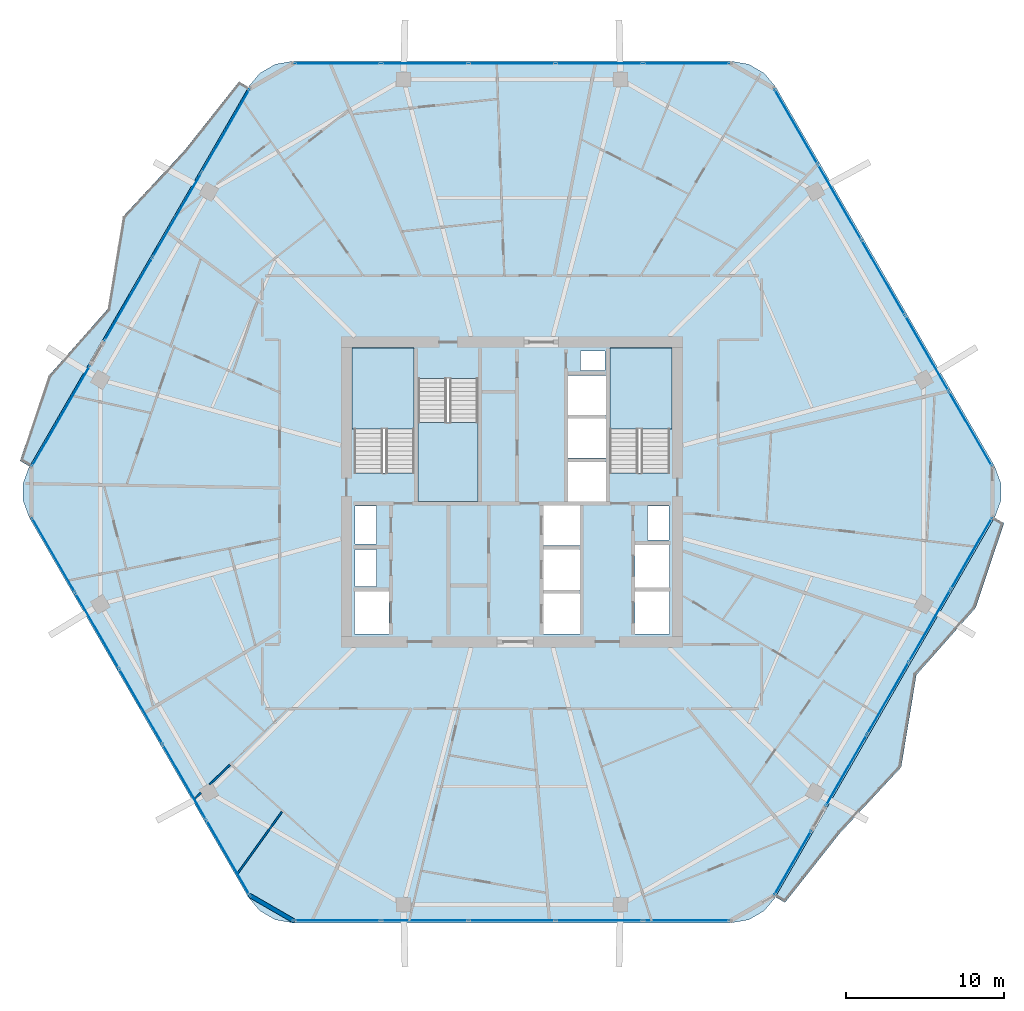
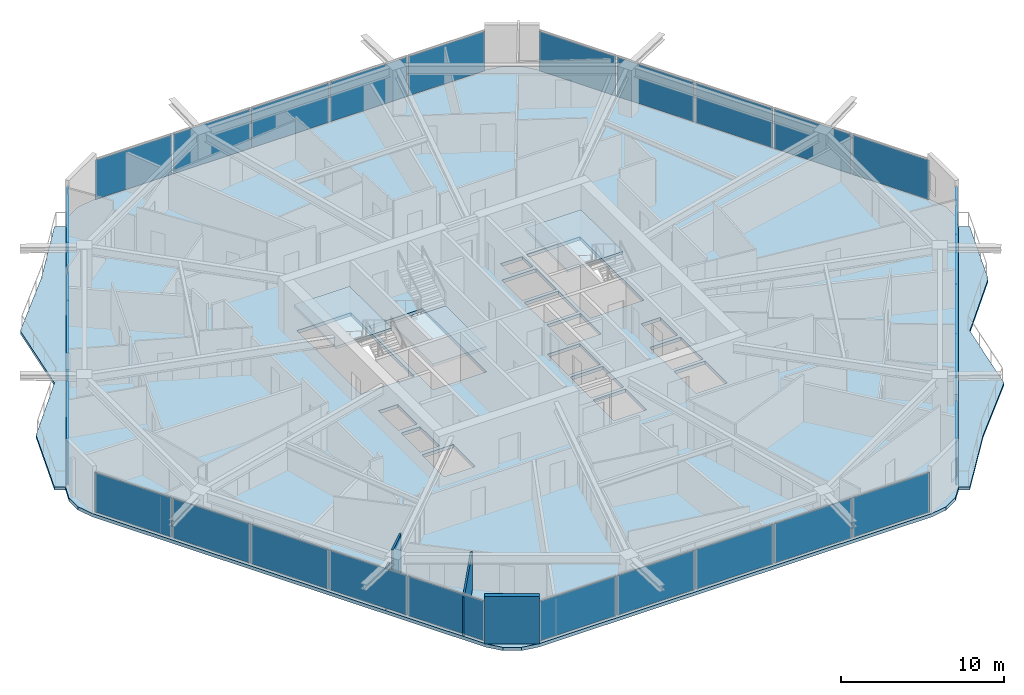
# One storey, part 16 of 26: 29 plates, 6 slabs, 4 walls, 11 elements without a shape of their own.
"""IFC4 building model written with IfcOpenShell, lengths in metres."""

from ifc_helpers import new_model, si_unit, direction, frame, frame_2d, origin, origin_2d, place, context, subcontext, project, spatial, polyline, rectangle, outline, extrude, material, layer, layer_set, type_object, element, aggregate, save


model = new_model("IFC4")

# Units and contexts
model_context = context("Model", 3, precision=1e-05, world=origin(), true_north=direction((0.0, 1.0)))
body_context = subcontext(model_context, "Body", "Model", "MODEL_VIEW")
ifc_project = project(units=[si_unit("LENGTHUNIT", "METRE"), si_unit("AREAUNIT", "SQUARE_METRE"), si_unit("VOLUMEUNIT", "CUBIC_METRE"), si_unit("PLANEANGLEUNIT", "RADIAN"), si_unit("MASSUNIT", "GRAM", prefix="KILO")], contexts=[model_context])

# Site, building, storey
site_placement = place(None, origin())
site = spatial("IfcSite", under=ifc_project, at=site_placement, CompositionType="ELEMENT")
building_placement = place(site_placement, origin())
building = spatial("IfcBuilding", under=site, at=building_placement, Name="Zuhravey Tower", CompositionType="ELEMENT")
storey_placement = place(building_placement, frame((0.0, 0.0, 211.199951171875)))
storey = spatial("IfcBuildingStorey", under=building, at=storey_placement, Name="L53", CompositionType="ELEMENT", Elevation=211.199951171875)

# Slabs
ifc_material_1 = material(Name="Concrete C50/60", Category="concrete")
ifc_layer_1 = layer(ifc_material_1, 0.25)
ifc_layer_set_1 = layer_set([ifc_layer_1], Name="Concrete C50/60")
slab_type_1 = type_object("IfcSlabType", Name="Residential Acoustic Slab 250", PredefinedType="FLOOR", material=ifc_layer_set_1)
slab_1_placement = place(storey_placement, frame((0.0, 0.0, -0.25)))
element("IfcSlab", 1, at=slab_1_placement, inside=storey, type_object=slab_type_1, Name="L53 Floor Slab FS25", PredefinedType="FLOOR", context=body_context, shape_type="SweptSolid", body=[
    extrude(outline(polyline([(66.61181640625, 30.375), (66.997802734375, 31.435546875), (66.997802734375, 32.564453125), (66.61181640625, 33.625), (52.713134765625, 57.697998046875), (51.98779296875, 58.562744140625), (51.01025390625, 59.127197265625), (49.898681640625, 59.322998046875), (22.101318359375, 59.322998046875), (20.98974609375, 59.127197265625), (20.01220703125, 58.562744140625), (19.286865234375, 57.697998046875), (5.38818359375, 33.625), (5.002197265625, 32.564453125), (5.002197265625, 31.435546875), (5.38818359375, 30.375), (19.286865234375, 6.302001953125), (20.01220703125, 5.437255859375), (20.98974609375, 4.872802734375), (22.101318359375, 4.677001953125), (49.898681640625, 4.677001953125), (51.01025390625, 4.872802734375), (51.98779296875, 5.437255859375), (52.713134765625, 6.302001953125), (66.61181640625, 30.375)]), holes=[polyline([(29.800048828125, 33.20068359375), (29.800048828125, 41.0), (26.0, 41.0), (26.0, 33.20068359375), (29.800048828125, 33.20068359375)]), polyline([(46.0, 33.20068359375), (46.0, 41.0), (42.199951171875, 41.0), (42.199951171875, 33.20068359375), (46.0, 33.20068359375)]), polyline([(30.050048828125, 39.199462890625), (30.050048828125, 31.39990234375), (33.85009765625, 31.39990234375), (33.85009765625, 39.199462890625), (30.050048828125, 39.199462890625)]), polyline([(38.0, 23.0), (40.300048828125, 23.0), (40.300048828125, 25.550048828125), (38.0, 25.550048828125), (38.0, 23.0)]), polyline([(38.0, 25.800048828125), (40.300048828125, 25.800048828125), (40.300048828125, 28.35009765625), (38.0, 28.35009765625), (38.0, 25.800048828125)]), polyline([(38.0, 28.60009765625), (40.300048828125, 28.60009765625), (40.300048828125, 31.14990234375), (38.0, 31.14990234375), (38.0, 28.60009765625)]), polyline([(39.550048828125, 31.39990234375), (41.949951171875, 31.39990234375), (41.949951171875, 33.89990234375), (39.550048828125, 33.89990234375), (39.550048828125, 31.39990234375)]), polyline([(39.550048828125, 34.14990234375), (41.949951171875, 34.14990234375), (41.949951171875, 36.64990234375), (39.550048828125, 36.64990234375), (39.550048828125, 34.14990234375)]), polyline([(39.550048828125, 36.89990234375), (41.949951171875, 36.89990234375), (41.949951171875, 39.39990234375), (39.550048828125, 39.39990234375), (39.550048828125, 36.89990234375)]), polyline([(26.0, 23.0), (28.199951171875, 23.0), (28.199951171875, 25.699951171875), (26.0, 25.699951171875), (26.0, 23.0)]), polyline([(43.800048828125, 23.0), (46.0, 23.0), (46.0, 25.699951171875), (43.800048828125, 25.699951171875), (43.800048828125, 23.0)]), polyline([(43.800048828125, 25.949951171875), (46.0, 25.949951171875), (46.0, 28.64990234375), (43.800048828125, 28.64990234375), (43.800048828125, 25.949951171875)]), polyline([(26.050048828125, 26.0), (27.39990234375, 26.0), (27.39990234375, 28.35009765625), (26.050048828125, 28.35009765625), (26.050048828125, 26.0)]), polyline([(26.050048828125, 28.699951171875), (27.39990234375, 28.699951171875), (27.39990234375, 31.10009765625), (26.050048828125, 31.10009765625), (26.050048828125, 28.699951171875)]), polyline([(44.60009765625, 28.949951171875), (45.949951171875, 28.949951171875), (45.949951171875, 31.10009765625), (44.60009765625, 31.10009765625), (44.60009765625, 28.949951171875)]), polyline([(40.35009765625, 39.699951171875), (41.89990234375, 39.699951171875), (41.89990234375, 40.949951171875), (40.35009765625, 40.949951171875), (40.35009765625, 39.699951171875)])]), origin(), (0.0, 0.0, 1.0), 0.25),
])
ifc_material_2 = material(Name="Concrete C40/50", Category="concrete")
ifc_layer_2 = layer(ifc_material_2, 0.219970703125)
ifc_layer_set_2 = layer_set([ifc_layer_2], Name="Concrete C40/50")
slab_type_2 = type_object("IfcSlabType", Name="Sinusoidal Residential Wave Balcony 220", PredefinedType="FLOOR", material=ifc_layer_set_2)
slab_2_placement = place(storey_placement, frame((0.0, 0.0, -0.219970703125)))
element("IfcSlab", 2, at=slab_2_placement, inside=storey, type_object=slab_type_2, Name="L53 Face 6 Wave Balcony WB22", PredefinedType="FLOOR", context=body_context, shape_type="SweptSolid", body=[
    extrude(outline(polyline([(52.70458984375, 6.31689453125), (66.594482421875, 30.375), (67.20068359375, 30.02490234375), (65.395751953125, 24.651611328125), (61.642822265625, 20.40283203125), (60.676025390625, 14.54541015625), (56.794921875, 10.370849609375), (53.310791015625, 5.966796875), (52.70458984375, 6.31689453125)])), origin(), (0.0, 0.0, 1.0), 0.219970703125),
])
slab_3_placement = place(storey_placement, frame((0.0, 0.0, -0.219970703125)))
element("IfcSlab", 3, at=slab_3_placement, inside=storey, type_object=slab_type_2, Name="L53 Face 3 Wave Balcony WB22", PredefinedType="FLOOR", context=body_context, shape_type="SweptSolid", body=[
    extrude(outline(polyline([(19.29541015625, 57.68310546875), (5.405517578125, 33.625), (4.79931640625, 33.97509765625), (6.604248046875, 39.348388671875), (10.357177734375, 43.59716796875), (11.323974609375, 49.45458984375), (15.205078125, 53.629150390625), (18.689208984375, 58.033203125), (19.29541015625, 57.68310546875)])), origin(), (0.0, 0.0, 1.0), 0.219970703125),
])

# Stair, slab
stair_type = type_object("IfcStairType", Name="Housing Storey Stair Assembly 3800", PredefinedType="HALF_TURN_STAIR", material=ifc_material_2)
stair_1_placement = place(storey_placement, origin())
stair_1 = element("IfcStair", 4, at=stair_1_placement, inside=storey, type_object=stair_type, Name="L53 Core Exit Stair ST1", PredefinedType="HALF_TURN_STAIR")
ifc_layer_3 = layer(ifc_material_2, 0.199951171875)
ifc_layer_set_3 = layer_set([ifc_layer_3], Name="Concrete C40/50")
slab_type_3 = type_object("IfcSlabType", Name="Stair Landing Slab 200", PredefinedType="LANDING", material=ifc_layer_set_3)
slab_4_placement = place(storey_placement, frame((0.0, 0.0, 1.699951171875)))
slab_4 = element("IfcSlab", 5, at=slab_4_placement, type_object=slab_type_3, Name="ST1 landing 1", PredefinedType="LANDING", context=body_context, shape_type="SweptSolid", body=[
    extrude(outline(polyline([(29.800048828125, 36.0), (29.800048828125, 41.14794921875), (25.85205078125, 41.14794921875), (25.85205078125, 36.0), (29.800048828125, 36.0)])), origin(), (0.0, 0.0, 1.0), 0.2001953125),
])
aggregate(stair_1, [slab_4])

stair_2_placement = place(storey_placement, origin())
stair_2 = element("IfcStair", 6, at=stair_2_placement, inside=storey, type_object=stair_type, Name="L53 Core Exit Stair ST2", PredefinedType="HALF_TURN_STAIR")
slab_5_placement = place(storey_placement, frame((0.0, 0.0, 1.699951171875)))
slab_5 = element("IfcSlab", 7, at=slab_5_placement, type_object=slab_type_3, Name="ST2 landing 1", PredefinedType="LANDING", context=body_context, shape_type="SweptSolid", body=[
    extrude(outline(polyline([(46.14794921875, 36.0), (46.14794921875, 41.14794921875), (42.199951171875, 41.14794921875), (42.199951171875, 36.0), (46.14794921875, 36.0)])), origin(), (0.0, 0.0, 1.0), 0.2001953125),
])
aggregate(stair_2, [slab_5])

stair_3_placement = place(storey_placement, origin())
stair_3 = element("IfcStair", 8, at=stair_3_placement, inside=storey, type_object=stair_type, Name="L53 Core Exit Stair ST3", PredefinedType="HALF_TURN_STAIR")
slab_6_placement = place(storey_placement, frame((0.0, 0.0, 1.699951171875)))
slab_6 = element("IfcSlab", 9, at=slab_6_placement, type_object=slab_type_3, Name="ST3 landing 1", PredefinedType="LANDING", context=body_context, shape_type="SweptSolid", body=[
    extrude(outline(polyline([(30.050048828125, 36.39990234375), (30.050048828125, 31.39990234375), (33.85009765625, 31.39990234375), (33.85009765625, 36.39990234375), (30.050048828125, 36.39990234375)])), origin(), (0.0, 0.0, 1.0), 0.2001953125),
])
aggregate(stair_3, [slab_6])

# Curtain wall, plates
ifc_material_3 = material(Name="Thermally broken anodised aluminium", Category="aluminium")
curtain_wall_type = type_object("IfcCurtainWallType", Name="Zone 1-2 Residential Curtain Wall CW3", PredefinedType="NOTDEFINED", material=ifc_material_3)
curtain_wall_1_placement = place(storey_placement, origin())
curtain_wall_1 = element("IfcCurtainWall", 10, at=curtain_wall_1_placement, inside=storey, type_object=curtain_wall_type, Name="L53 CW3 CW-L53-F6-1", PredefinedType="NOTDEFINED")
ifc_material_4 = material(Name="Triple low-E insulated vision glass", Category="glass")
ifc_layer_4 = layer(ifc_material_4, 0.0419921875)
ifc_layer_set_4 = layer_set([ifc_layer_4], Name="Triple low-E insulated vision glass")
plate_type = type_object("IfcPlateType", Name="Triple Low-E Vision Panel", PredefinedType="CURTAIN_PANEL", material=ifc_layer_set_4)
plate_1_placement = place(storey_placement, frame((65.13525390625, 28.097412109375, 0.090087890625), z_axis=(0.0, 0.0, 1.0), x_axis=(-0.500001255965, -0.866024678652, 0.0)))
plate_1 = element("IfcPlate", 11, at=plate_1_placement, type_object=plate_type, Name="CW3 panel 1.1", PredefinedType="CURTAIN_PANEL", context=body_context, shape_type="SweptSolid", body=[
    extrude(rectangle(XDim=5.16650390625, YDim=0.0419921875, at=origin_2d()), origin(), (0.0, 0.0, 1.0), 2.94189453125),
])
plate_2_placement = place(storey_placement, frame((62.49560546875, 23.525634765625, 0.090087890625), z_axis=(0.0, 0.0, 1.0), x_axis=(-0.500001255965, -0.866024678652, 0.0)))
plate_2 = element("IfcPlate", 12, at=plate_2_placement, type_object=plate_type, Name="CW3 panel 2.1", PredefinedType="CURTAIN_PANEL", context=body_context, shape_type="SweptSolid", body=[
    extrude(rectangle(XDim=5.21142578125, YDim=0.0419921875, at=origin_2d()), origin(), (0.0, 0.0, 1.0), 2.94189453125),
])
plate_3_placement = place(storey_placement, frame((59.844970703125, 18.9345703125, 0.090087890625), z_axis=(0.0, 0.0, 1.0), x_axis=(-0.500001255965, -0.866024678652, 0.0)))
plate_3 = element("IfcPlate", 13, at=plate_3_placement, type_object=plate_type, Name="CW3 panel 3.1", PredefinedType="CURTAIN_PANEL", context=body_context, shape_type="SweptSolid", body=[
    extrude(rectangle(XDim=5.21142578125, YDim=0.0419921875, at=origin_2d()), origin(), (0.0, 0.0, 1.0), 2.94189453125),
])
plate_4_placement = place(storey_placement, frame((57.20556640625, 14.36279296875, 0.090087890625), z_axis=(0.0, 0.0, 1.0), x_axis=(-0.500001255965, -0.866024678652, 0.0)))
plate_4 = element("IfcPlate", 14, at=plate_4_placement, type_object=plate_type, Name="CW3 panel 4.1", PredefinedType="CURTAIN_PANEL", context=body_context, shape_type="SweptSolid", body=[
    extrude(rectangle(XDim=5.16650390625, YDim=0.0419921875, at=origin_2d()), origin(), (0.0, 0.0, 1.0), 2.94189453125),
])
aggregate(curtain_wall_1, [plate_1, plate_2, plate_3, plate_4])

# Curtain wall, plate
curtain_wall_2_placement = place(storey_placement, origin())
curtain_wall_2 = element("IfcCurtainWall", 15, at=curtain_wall_2_placement, inside=storey, type_object=curtain_wall_type, Name="L53 CW3 CW-L53-F6-2", PredefinedType="NOTDEFINED")
plate_5_placement = place(storey_placement, frame((53.814697265625, 8.489990234375, 0.090087890625), z_axis=(0.0, 0.0, 1.0), x_axis=(-0.499993235239, -0.866029309386, 0.0)))
plate_5 = element("IfcPlate", 16, at=plate_5_placement, type_object=plate_type, Name="CW3 panel 1.1", PredefinedType="CURTAIN_PANEL", context=body_context, shape_type="SweptSolid", body=[
    extrude(rectangle(XDim=4.636474609375, YDim=0.0419921875, at=origin_2d()), origin(), (0.0, 0.0, 1.0), 2.94189453125),
])
aggregate(curtain_wall_2, [plate_5])

# Curtain wall, plates
curtain_wall_3_placement = place(storey_placement, origin())
curtain_wall_3 = element("IfcCurtainWall", 17, at=curtain_wall_3_placement, inside=storey, type_object=curtain_wall_type, Name="L53 CW3 CW-L53-F5-1", PredefinedType="NOTDEFINED")
plate_6_placement = place(storey_placement, frame((47.06640625, 4.81689453125, 0.090087890625), z_axis=(0.0, 0.0, 1.0), x_axis=(-1.0, 0.0, 0.0)))
plate_6 = element("IfcPlate", 18, at=plate_6_placement, type_object=plate_type, Name="CW3 panel 1.1", PredefinedType="CURTAIN_PANEL", context=body_context, shape_type="SweptSolid", body=[
    extrude(rectangle(XDim=5.409423828125, YDim=0.0419921875, at=origin_2d()), origin(), (0.0, 0.0, 1.0), 2.94189453125),
])
plate_7_placement = place(storey_placement, frame((41.54443359375, 4.81689453125, 0.090087890625), z_axis=(0.0, 0.0, 1.0), x_axis=(-1.0, 0.0, 0.0)))
plate_7 = element("IfcPlate", 19, at=plate_7_placement, type_object=plate_type, Name="CW3 panel 2.1", PredefinedType="CURTAIN_PANEL", context=body_context, shape_type="SweptSolid", body=[
    extrude(rectangle(XDim=5.454345703125, YDim=0.0419921875, at=origin_2d()), origin(), (0.0, 0.0, 1.0), 2.94189453125),
])
plate_8_placement = place(storey_placement, frame((36.0, 4.81689453125, 0.090087890625), z_axis=(0.0, 0.0, 1.0), x_axis=(-1.0, 0.0, 0.0)))
plate_8 = element("IfcPlate", 20, at=plate_8_placement, type_object=plate_type, Name="CW3 panel 3.1", PredefinedType="CURTAIN_PANEL", context=body_context, shape_type="SweptSolid", body=[
    extrude(rectangle(XDim=5.454345703125, YDim=0.0419921875, at=origin_2d()), origin(), (0.0, 0.0, 1.0), 2.94189453125),
])
plate_9_placement = place(storey_placement, frame((30.45556640625, 4.81689453125, 0.090087890625), z_axis=(0.0, 0.0, 1.0), x_axis=(-1.0, 0.0, 0.0)))
plate_9 = element("IfcPlate", 21, at=plate_9_placement, type_object=plate_type, Name="CW3 panel 4.1", PredefinedType="CURTAIN_PANEL", context=body_context, shape_type="SweptSolid", body=[
    extrude(rectangle(XDim=5.454345703125, YDim=0.0419921875, at=origin_2d()), origin(), (0.0, 0.0, 1.0), 2.94189453125),
])
plate_10_placement = place(storey_placement, frame((24.93359375, 4.81689453125, 0.090087890625), z_axis=(0.0, 0.0, 1.0), x_axis=(-1.0, 0.0, 0.0)))
plate_10 = element("IfcPlate", 22, at=plate_10_placement, type_object=plate_type, Name="CW3 panel 5.1", PredefinedType="CURTAIN_PANEL", context=body_context, shape_type="SweptSolid", body=[
    extrude(rectangle(XDim=5.409423828125, YDim=0.0419921875, at=origin_2d()), origin(), (0.0, 0.0, 1.0), 2.94189453125),
])
aggregate(curtain_wall_3, [plate_6, plate_7, plate_8, plate_9, plate_10])

curtain_wall_4_placement = place(storey_placement, origin())
curtain_wall_4 = element("IfcCurtainWall", 23, at=curtain_wall_4_placement, inside=storey, type_object=curtain_wall_type, Name="L53 CW3 CW-L53-F4-1", PredefinedType="NOTDEFINED")
plate_11_placement = place(storey_placement, frame((17.991943359375, 8.82470703125, 0.090087890625), z_axis=(0.0, 0.0, 1.0), x_axis=(-0.500000459979, 0.866025138215, 0.0)))
plate_11 = element("IfcPlate", 24, at=plate_11_placement, type_object=plate_type, Name="CW3 panel 1.1", PredefinedType="CURTAIN_PANEL", context=body_context, shape_type="SweptSolid", body=[
    extrude(rectangle(XDim=5.409423828125, YDim=0.0419921875, at=origin_2d()), origin(), (0.0, 0.0, 1.0), 2.94189453125),
])
plate_12_placement = place(storey_placement, frame((15.23095703125, 13.60693359375, 0.090087890625), z_axis=(0.0, 0.0, 1.0), x_axis=(-0.500000459979, 0.866025138215, 0.0)))
plate_12 = element("IfcPlate", 25, at=plate_12_placement, type_object=plate_type, Name="CW3 panel 2.1", PredefinedType="CURTAIN_PANEL", context=body_context, shape_type="SweptSolid", body=[
    extrude(rectangle(XDim=5.454345703125, YDim=0.0419921875, at=origin_2d()), origin(), (0.0, 0.0, 1.0), 2.94189453125),
])
plate_13_placement = place(storey_placement, frame((12.458740234375, 18.408447265625, 0.090087890625), z_axis=(0.0, 0.0, 1.0), x_axis=(-0.500000459979, 0.866025138215, 0.0)))
plate_13 = element("IfcPlate", 26, at=plate_13_placement, type_object=plate_type, Name="CW3 panel 3.1", PredefinedType="CURTAIN_PANEL", context=body_context, shape_type="SweptSolid", body=[
    extrude(rectangle(XDim=5.454345703125, YDim=0.0419921875, at=origin_2d()), origin(), (0.0, 0.0, 1.0), 2.94189453125),
])
plate_14_placement = place(storey_placement, frame((9.6865234375, 23.2099609375, 0.090087890625), z_axis=(0.0, 0.0, 1.0), x_axis=(-0.500000459979, 0.866025138215, 0.0)))
plate_14 = element("IfcPlate", 27, at=plate_14_placement, type_object=plate_type, Name="CW3 panel 4.1", PredefinedType="CURTAIN_PANEL", context=body_context, shape_type="SweptSolid", body=[
    extrude(rectangle(XDim=5.454345703125, YDim=0.0419921875, at=origin_2d()), origin(), (0.0, 0.0, 1.0), 2.94189453125),
])
plate_15_placement = place(storey_placement, frame((6.925537109375, 27.9921875, 0.090087890625), z_axis=(0.0, 0.0, 1.0), x_axis=(-0.500000459979, 0.866025138215, 0.0)))
plate_15 = element("IfcPlate", 28, at=plate_15_placement, type_object=plate_type, Name="CW3 panel 5.1", PredefinedType="CURTAIN_PANEL", context=body_context, shape_type="SweptSolid", body=[
    extrude(rectangle(XDim=5.409423828125, YDim=0.0419921875, at=origin_2d()), origin(), (0.0, 0.0, 1.0), 2.94189453125),
])
aggregate(curtain_wall_4, [plate_11, plate_12, plate_13, plate_14, plate_15])

# Curtain wall, plate
curtain_wall_5_placement = place(storey_placement, origin())
curtain_wall_5 = element("IfcCurtainWall", 29, at=curtain_wall_5_placement, inside=storey, type_object=curtain_wall_type, Name="L53 CW3 CW-L53-F3-1", PredefinedType="NOTDEFINED")
plate_16_placement = place(storey_placement, frame((7.397705078125, 36.825439453125, 0.090087890625), z_axis=(0.0, 0.0, 1.0), x_axis=(0.500005302059, 0.866022342618, 0.0)))
plate_16 = element("IfcPlate", 30, at=plate_16_placement, type_object=plate_type, Name="CW3 panel 1.1", PredefinedType="CURTAIN_PANEL", context=body_context, shape_type="SweptSolid", body=[
    extrude(rectangle(XDim=7.297607421875, YDim=0.0419921875, at=origin_2d()), origin(), (0.0, 0.0, 1.0), 2.94189453125),
])
aggregate(curtain_wall_5, [plate_16])

# Curtain wall, plates
curtain_wall_6_placement = place(storey_placement, origin())
curtain_wall_6 = element("IfcCurtainWall", 31, at=curtain_wall_6_placement, inside=storey, type_object=curtain_wall_type, Name="L53 CW3 CW-L53-F3-2", PredefinedType="NOTDEFINED")
plate_17_placement = place(storey_placement, frame((11.673583984375, 44.231689453125, 0.090087890625), z_axis=(0.0, 0.0, 1.0), x_axis=(0.499997541348, 0.866026823283, 0.0)))
plate_17 = element("IfcPlate", 32, at=plate_17_placement, type_object=plate_type, Name="CW3 panel 1.1", PredefinedType="CURTAIN_PANEL", context=body_context, shape_type="SweptSolid", body=[
    extrude(rectangle(XDim=6.046630859375, YDim=0.0419921875, at=origin_2d()), origin(), (0.0, 0.0, 1.0), 2.94189453125),
])
plate_18_placement = place(storey_placement, frame((14.753173828125, 49.5654296875, 0.090087890625), z_axis=(0.0, 0.0, 1.0), x_axis=(0.499997541348, 0.866026823283, 0.0)))
plate_18 = element("IfcPlate", 33, at=plate_18_placement, type_object=plate_type, Name="CW3 panel 2.1", PredefinedType="CURTAIN_PANEL", context=body_context, shape_type="SweptSolid", body=[
    extrude(rectangle(XDim=6.091552734375, YDim=0.0419921875, at=origin_2d()), origin(), (0.0, 0.0, 1.0), 2.94189453125),
])
plate_19_placement = place(storey_placement, frame((17.832763671875, 54.8994140625, 0.090087890625), z_axis=(0.0, 0.0, 1.0), x_axis=(0.499997541348, 0.866026823283, 0.0)))
plate_19 = element("IfcPlate", 34, at=plate_19_placement, type_object=plate_type, Name="CW3 panel 3.1", PredefinedType="CURTAIN_PANEL", context=body_context, shape_type="SweptSolid", body=[
    extrude(rectangle(XDim=6.046630859375, YDim=0.0419921875, at=origin_2d()), origin(), (0.0, 0.0, 1.0), 2.94189453125),
])
aggregate(curtain_wall_6, [plate_17, plate_18, plate_19])

curtain_wall_7_placement = place(storey_placement, origin())
curtain_wall_7 = element("IfcCurtainWall", 35, at=curtain_wall_7_placement, inside=storey, type_object=curtain_wall_type, Name="L53 CW3 CW-L53-F2-1", PredefinedType="NOTDEFINED")
plate_20_placement = place(storey_placement, frame((24.93359375, 59.18310546875, 0.090087890625), z_axis=(0.0, 0.0, 1.0), x_axis=(1.0, 0.0, 0.0)))
plate_20 = element("IfcPlate", 36, at=plate_20_placement, type_object=plate_type, Name="CW3 panel 1.1", PredefinedType="CURTAIN_PANEL", context=body_context, shape_type="SweptSolid", body=[
    extrude(rectangle(XDim=5.409423828125, YDim=0.0419921875, at=origin_2d()), origin(), (0.0, 0.0, 1.0), 2.94189453125),
])
plate_21_placement = place(storey_placement, frame((30.45556640625, 59.18310546875, 0.090087890625), z_axis=(0.0, 0.0, 1.0), x_axis=(1.0, 0.0, 0.0)))
plate_21 = element("IfcPlate", 37, at=plate_21_placement, type_object=plate_type, Name="CW3 panel 2.1", PredefinedType="CURTAIN_PANEL", context=body_context, shape_type="SweptSolid", body=[
    extrude(rectangle(XDim=5.454345703125, YDim=0.0419921875, at=origin_2d()), origin(), (0.0, 0.0, 1.0), 2.94189453125),
])
plate_22_placement = place(storey_placement, frame((36.0, 59.18310546875, 0.090087890625), z_axis=(0.0, 0.0, 1.0), x_axis=(1.0, 0.0, 0.0)))
plate_22 = element("IfcPlate", 38, at=plate_22_placement, type_object=plate_type, Name="CW3 panel 3.1", PredefinedType="CURTAIN_PANEL", context=body_context, shape_type="SweptSolid", body=[
    extrude(rectangle(XDim=5.454345703125, YDim=0.0419921875, at=origin_2d()), origin(), (0.0, 0.0, 1.0), 2.94189453125),
])
plate_23_placement = place(storey_placement, frame((41.54443359375, 59.18310546875, 0.090087890625), z_axis=(0.0, 0.0, 1.0), x_axis=(1.0, 0.0, 0.0)))
plate_23 = element("IfcPlate", 39, at=plate_23_placement, type_object=plate_type, Name="CW3 panel 4.1", PredefinedType="CURTAIN_PANEL", context=body_context, shape_type="SweptSolid", body=[
    extrude(rectangle(XDim=5.454345703125, YDim=0.0419921875, at=origin_2d()), origin(), (0.0, 0.0, 1.0), 2.94189453125),
])
plate_24_placement = place(storey_placement, frame((47.06640625, 59.18310546875, 0.090087890625), z_axis=(0.0, 0.0, 1.0), x_axis=(1.0, 0.0, 0.0)))
plate_24 = element("IfcPlate", 40, at=plate_24_placement, type_object=plate_type, Name="CW3 panel 5.1", PredefinedType="CURTAIN_PANEL", context=body_context, shape_type="SweptSolid", body=[
    extrude(rectangle(XDim=5.409423828125, YDim=0.0419921875, at=origin_2d()), origin(), (0.0, 0.0, 1.0), 2.94189453125),
])
aggregate(curtain_wall_7, [plate_20, plate_21, plate_22, plate_23, plate_24])

curtain_wall_8_placement = place(storey_placement, origin())
curtain_wall_8 = element("IfcCurtainWall", 41, at=curtain_wall_8_placement, inside=storey, type_object=curtain_wall_type, Name="L53 CW3 CW-L53-F1-1", PredefinedType="NOTDEFINED")
plate_25_placement = place(storey_placement, frame((54.008056640625, 55.17529296875, 0.090087890625), z_axis=(0.0, 0.0, 1.0), x_axis=(0.500000459979, -0.866025138215, 0.0)))
plate_25 = element("IfcPlate", 42, at=plate_25_placement, type_object=plate_type, Name="CW3 panel 1.1", PredefinedType="CURTAIN_PANEL", context=body_context, shape_type="SweptSolid", body=[
    extrude(rectangle(XDim=5.409423828125, YDim=0.0419921875, at=origin_2d()), origin(), (0.0, 0.0, 1.0), 2.94189453125),
])
plate_26_placement = place(storey_placement, frame((56.76904296875, 50.39306640625, 0.090087890625), z_axis=(0.0, 0.0, 1.0), x_axis=(0.500000459979, -0.866025138215, 0.0)))
plate_26 = element("IfcPlate", 43, at=plate_26_placement, type_object=plate_type, Name="CW3 panel 2.1", PredefinedType="CURTAIN_PANEL", context=body_context, shape_type="SweptSolid", body=[
    extrude(rectangle(XDim=5.454345703125, YDim=0.0419921875, at=origin_2d()), origin(), (0.0, 0.0, 1.0), 2.94189453125),
])
plate_27_placement = place(storey_placement, frame((59.541259765625, 45.591552734375, 0.090087890625), z_axis=(0.0, 0.0, 1.0), x_axis=(0.500000459979, -0.866025138215, 0.0)))
plate_27 = element("IfcPlate", 44, at=plate_27_placement, type_object=plate_type, Name="CW3 panel 3.1", PredefinedType="CURTAIN_PANEL", context=body_context, shape_type="SweptSolid", body=[
    extrude(rectangle(XDim=5.454345703125, YDim=0.0419921875, at=origin_2d()), origin(), (0.0, 0.0, 1.0), 2.94189453125),
])
plate_28_placement = place(storey_placement, frame((62.3134765625, 40.7900390625, 0.090087890625), z_axis=(0.0, 0.0, 1.0), x_axis=(0.500000459979, -0.866025138215, 0.0)))
plate_28 = element("IfcPlate", 45, at=plate_28_placement, type_object=plate_type, Name="CW3 panel 4.1", PredefinedType="CURTAIN_PANEL", context=body_context, shape_type="SweptSolid", body=[
    extrude(rectangle(XDim=5.454345703125, YDim=0.0419921875, at=origin_2d()), origin(), (0.0, 0.0, 1.0), 2.94189453125),
])
plate_29_placement = place(storey_placement, frame((65.074462890625, 36.0078125, 0.090087890625), z_axis=(0.0, 0.0, 1.0), x_axis=(0.500000459979, -0.866025138215, 0.0)))
plate_29 = element("IfcPlate", 46, at=plate_29_placement, type_object=plate_type, Name="CW3 panel 5.1", PredefinedType="CURTAIN_PANEL", context=body_context, shape_type="SweptSolid", body=[
    extrude(rectangle(XDim=5.409423828125, YDim=0.0419921875, at=origin_2d()), origin(), (0.0, 0.0, 1.0), 2.94189453125),
])
aggregate(curtain_wall_8, [plate_25, plate_26, plate_27, plate_28, plate_29])

# Walls
ifc_material_5 = material(Name="Precast concrete C40/50", Category="concrete")
ifc_layer_5 = layer(ifc_material_5, 0.280029296875)
ifc_layer_set_5 = layer_set([ifc_layer_5], Name="Precast concrete C40/50")
wall_type_1 = type_object("IfcWallType", Name="Crown Architectural Wall 280", PredefinedType="SOLIDWALL", material=ifc_layer_set_5)
wall_1_placement = place(storey_placement, frame((22.22119140625, 4.769287109375, 0.0), z_axis=(0.0, 0.0, 1.0), x_axis=(-0.866020068361, 0.500009241111, 0.0)))
element("IfcWall", 47, at=wall_1_placement, inside=storey, type_object=wall_type_1, Name="L53 Rounded Corner Closure Wall EW28-04", PredefinedType="SOLIDWALL", context=body_context, shape_type="SweptSolid", body=[
    extrude(rectangle(XDim=3.365234375, YDim=0.280029296875, at=frame_2d((1.6826171875, 0.0))), origin(), (0.0, 0.0, 1.0), 3.550048828125),
])
ifc_material_6 = material(Name="Gypsum metal-stud partition")
ifc_layer_6 = layer(ifc_material_6, 0.1201171875)
ifc_layer_set_6 = layer_set([ifc_layer_6], Name="Gypsum metal-stud partition")
wall_type_2 = type_object("IfcWallType", Name="Unit Internal Partition 120", PredefinedType="PARTITIONING", material=ifc_layer_set_6)
wall_2_placement = place(storey_placement, frame((18.10986328125, 14.699462890625, 0.0), z_axis=(0.0, 0.0, 1.0), x_axis=(-0.718877639203, -0.695136633946, 0.0)))
element("IfcWall", 48, at=wall_2_placement, inside=storey, type_object=wall_type_2, Name="L53 IW12 Partition 050", PredefinedType="PARTITIONING", context=body_context, shape_type="SweptSolid", body=[
    extrude(rectangle(XDim=1.799560546875, YDim=0.1201171875, at=frame_2d((0.89990234375, 0.0))), origin(), (0.0, 0.0, 1.0), 3.550048828125),
])
wall_3_placement = place(storey_placement, frame((21.414306640625, 11.72412109375, 0.0), z_axis=(0.0, 0.0, 1.0), x_axis=(-0.583973485563, -0.81177273184, 0.0)))
element("IfcWall", 49, at=wall_3_placement, inside=storey, type_object=wall_type_2, Name="L53 IW12 Partition 100", PredefinedType="PARTITIONING", context=body_context, shape_type="SweptSolid", body=[
    extrude(rectangle(XDim=4.874267578125, YDim=0.1201171875, at=frame_2d((2.43701171875, 0.0))), origin(), (0.0, 0.0, 1.0), 2.8701171875),
])
wall_4_placement = place(storey_placement, frame((16.279541015625, 12.929443359375, 0.0), z_axis=(0.0, 0.0, 1.0), x_axis=(-0.718981497127, -0.695029212903, 0.0)))
element("IfcWall", 50, at=wall_4_placement, inside=storey, type_object=wall_type_2, Name="L53 IW12 Partition 102", PredefinedType="PARTITIONING", context=body_context, shape_type="SweptSolid", body=[
    extrude(rectangle(XDim=0.591064453125, YDim=0.1201171875, at=frame_2d((0.29541015625, 0.0))), origin(), (0.0, 0.0, 1.0), 3.1220703125),
])

save(model, "model.ifc")
